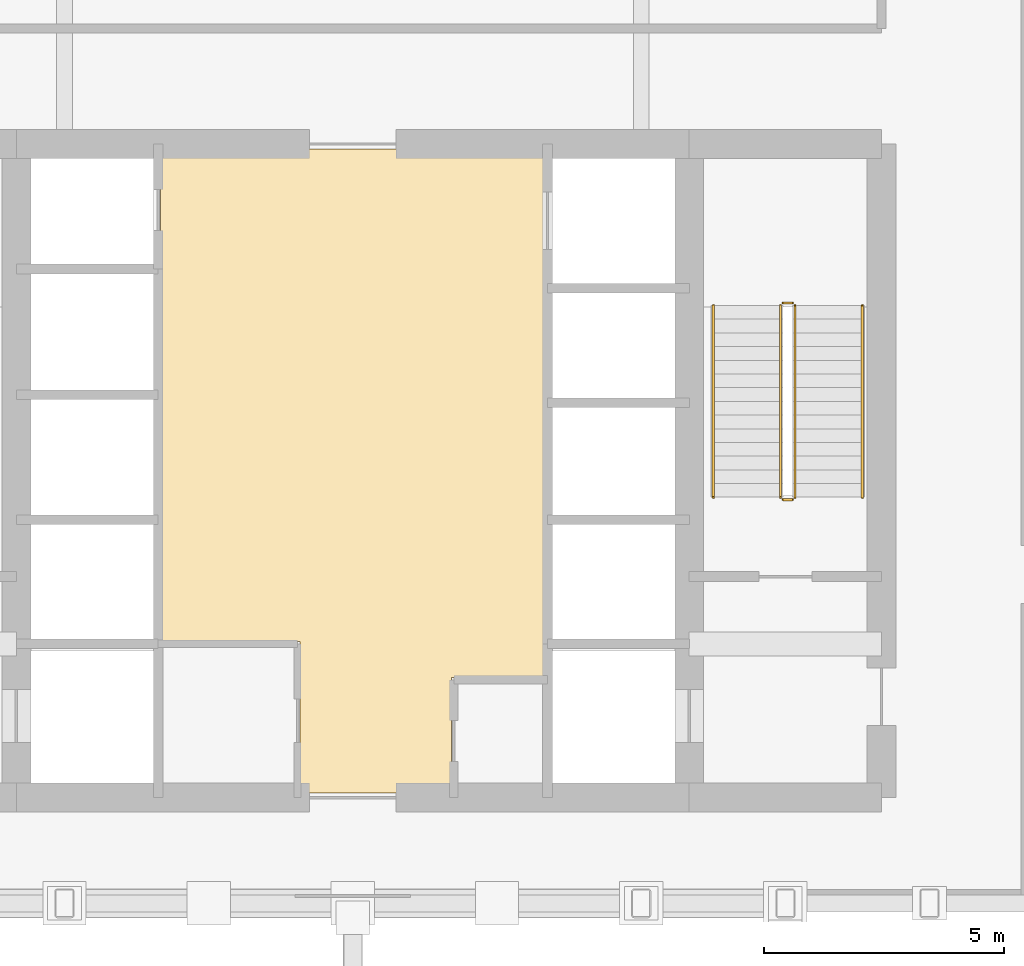
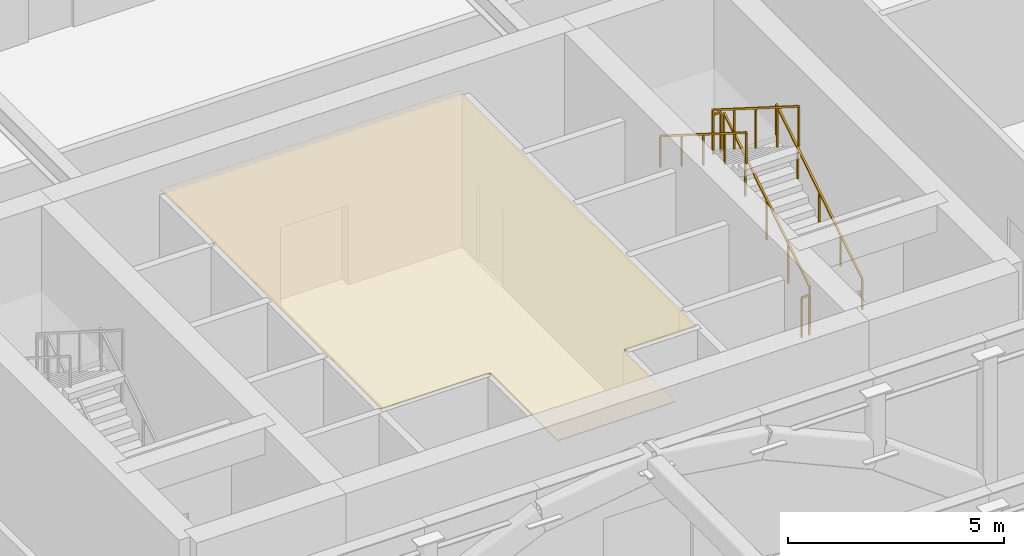
# One storey, part 31 of 32: 6 railings, 1 covering.
"""IFC4 building model written with IfcOpenShell, lengths in metres."""

from ifc_helpers import new_model, si_unit, direction, frame, origin, origin_2d, place, context, subcontext, project, spatial, polyline, rectangle, outline, extrude, material, layer, layer_set, type_object, element, save


model = new_model("IFC4")

# Units and contexts
model_context = context("Model", 3, precision=1e-05, world=origin(), true_north=direction((0.0, 1.0)))
body_context = subcontext(model_context, "Body", "Model", "MODEL_VIEW")
ifc_project = project(units=[si_unit("LENGTHUNIT", "METRE"), si_unit("AREAUNIT", "SQUARE_METRE"), si_unit("VOLUMEUNIT", "CUBIC_METRE"), si_unit("PLANEANGLEUNIT", "RADIAN"), si_unit("MASSUNIT", "GRAM", prefix="KILO")], contexts=[model_context])

# Site, building, storey
site_placement = place(None, origin())
site = spatial("IfcSite", under=ifc_project, at=site_placement, CompositionType="ELEMENT")
building_placement = place(site_placement, origin())
building = spatial("IfcBuilding", under=site, at=building_placement, Name="Sarneth Arch Tower", CompositionType="ELEMENT")
storey_placement = place(building_placement, frame((0.0, 0.0, 11.39990234375)))
storey = spatial("IfcBuildingStorey", under=building, at=storey_placement, Name="L02", CompositionType="ELEMENT", Elevation=11.39990234375)

# Covering
ifc_material_1 = material(Name="Perforated acoustic gypsum ceiling board")
ifc_layer = layer(ifc_material_1, 0.02490234375)
ifc_layer_set = layer_set([ifc_layer], Name="Perforated acoustic gypsum ceiling board")
covering_type = type_object("IfcCoveringType", Name="COV-CEIL-GYP", PredefinedType="CEILING", material=ifc_layer_set)
covering_placement = place(storey_placement, frame((0.0, 0.0, 4.27001953125)))
element("IfcCovering", 1, at=covering_placement, inside=storey, type_object=covering_type, Name="L02 Lift lobby acoustic ceiling", PredefinedType="CEILING", context=body_context, shape_type="SweptSolid", body=[
    extrude(outline(polyline([(52.0, 37.699951171875), (50.050048828125, 37.699951171875), (50.050048828125, 35.300048828125), (46.89990234375, 35.300048828125), (46.89990234375, 38.449951171875), (44.0, 38.449951171875), (44.0, 48.699951171875), (52.0, 48.699951171875), (52.0, 37.699951171875)])), origin(), (0.0, 0.0, 1.0), 0.030029296875),
])

# Railings
ifc_material_2 = material(Name="Brushed Stainless Steel 304 tubular handrail", Category="steel")
railing_type_1 = type_object("IfcRailingType", Name="RAIL-HANDRAIL-900", PredefinedType="HANDRAIL", material=ifc_material_2)
railing_1_placement = place(storey_placement, frame((58.60009765625, 41.449951171875, 0.18017578125)))
element("IfcRailing", 2, at=railing_1_placement, inside=storey, type_object=railing_type_1, Name="L02 ST-2 stair handrail 1", PredefinedType="HANDRAIL", context=body_context, shape_type="SweptSolid", body=[
    extrude(rectangle(XDim=0.048095703125, YDim=0.048095703125, at=origin_2d()), frame((0.0, 0.0, 0.8759765625), z_axis=(0.0, 0.845486444383, 0.533996884227), x_axis=(-1.0, 0.0, 0.0)), (0.0, 0.0, 1.0), 4.71923828125),
    extrude(rectangle(XDim=0.0419921875, YDim=0.0419921875, at=origin_2d()), origin(), (0.0, 0.0, 1.0), 0.851806640625),
    extrude(rectangle(XDim=0.0419921875, YDim=0.0419921875, at=origin_2d()), frame((0.0, 0.99755859375, 0.6298828125)), (0.0, 0.0, 1.0), 0.851806640625),
    extrude(rectangle(XDim=0.0419921875, YDim=0.0419921875, at=origin_2d()), frame((0.0, 1.9951171875, 1.260009765625)), (0.0, 0.0, 1.0), 0.851806640625),
    extrude(rectangle(XDim=0.0419921875, YDim=0.0419921875, at=origin_2d()), frame((0.0, 2.992431640625, 1.89013671875)), (0.0, 0.0, 1.0), 0.851806640625),
    extrude(rectangle(XDim=0.0419921875, YDim=0.0419921875, at=origin_2d()), frame((0.0, 3.989990234375, 2.52001953125)), (0.0, 0.0, 1.0), 0.851806640625),
])
railing_2_placement = place(storey_placement, frame((55.5, 45.43994140625, 2.880126953125)))
element("IfcRailing", 3, at=railing_2_placement, inside=storey, type_object=railing_type_1, Name="L02 ST-2 stair handrail 2", PredefinedType="HANDRAIL", context=body_context, shape_type="SweptSolid", body=[
    extrude(rectangle(XDim=0.048095703125, YDim=0.048095703125, at=origin_2d()), frame((0.0, 0.0, 0.8759765625), z_axis=(0.0, -0.845486444383, 0.533996884227), x_axis=(1.0, 0.0, 0.0)), (0.0, 0.0, 1.0), 4.71923828125),
    extrude(rectangle(XDim=0.0419921875, YDim=0.0419921875, at=origin_2d()), origin(), (0.0, 0.0, 1.0), 0.851806640625),
    extrude(rectangle(XDim=0.0419921875, YDim=0.0419921875, at=origin_2d()), frame((0.0, -0.99755859375, 0.6298828125)), (0.0, 0.0, 1.0), 0.851806640625),
    extrude(rectangle(XDim=0.0419921875, YDim=0.0419921875, at=origin_2d()), frame((0.0, -1.9951171875, 1.260009765625)), (0.0, 0.0, 1.0), 0.851806640625),
    extrude(rectangle(XDim=0.0419921875, YDim=0.0419921875, at=origin_2d()), frame((0.0, -2.992431640625, 1.89013671875)), (0.0, 0.0, 1.0), 0.851806640625),
    extrude(rectangle(XDim=0.0419921875, YDim=0.0419921875, at=origin_2d()), frame((0.0, -3.989990234375, 2.52001953125)), (0.0, 0.0, 1.0), 0.851806640625),
])
ifc_material_3 = material(Name="Painted Steel S275 stair well guard", Category="steel")
railing_type_2 = type_object("IfcRailingType", Name="RAIL-STAIR-GUARD", PredefinedType="GUARDRAIL", material=ifc_material_3)
railing_3_placement = place(storey_placement, frame((57.199951171875, 41.449951171875, 0.18017578125)))
element("IfcRailing", 4, at=railing_3_placement, inside=storey, type_object=railing_type_2, Name="L02 ST-2 stair guard 1", PredefinedType="GUARDRAIL", context=body_context, shape_type="SweptSolid", body=[
    extrude(rectangle(XDim=0.048095703125, YDim=0.048095703125, at=origin_2d()), frame((0.0, 0.0, 1.1259765625), z_axis=(0.0, 0.845486444383, 0.533996884227), x_axis=(-1.0, 0.0, 0.0)), (0.0, 0.0, 1.0), 4.71923828125),
    extrude(rectangle(XDim=0.0419921875, YDim=0.0419921875, at=origin_2d()), origin(), (0.0, 0.0, 1.0), 1.101806640625),
    extrude(rectangle(XDim=0.0419921875, YDim=0.0419921875, at=origin_2d()), frame((0.0, 0.99755859375, 0.6298828125)), (0.0, 0.0, 1.0), 1.101806640625),
    extrude(rectangle(XDim=0.0419921875, YDim=0.0419921875, at=origin_2d()), frame((0.0, 1.9951171875, 1.260009765625)), (0.0, 0.0, 1.0), 1.101806640625),
    extrude(rectangle(XDim=0.0419921875, YDim=0.0419921875, at=origin_2d()), frame((0.0, 2.992431640625, 1.89013671875)), (0.0, 0.0, 1.0), 1.101806640625),
    extrude(rectangle(XDim=0.0419921875, YDim=0.0419921875, at=origin_2d()), frame((0.0, 3.989990234375, 2.52001953125)), (0.0, 0.0, 1.0), 1.101806640625),
])
railing_4_placement = place(storey_placement, frame((57.14990234375, 45.489990234375, 2.7001953125)))
element("IfcRailing", 5, at=railing_4_placement, inside=storey, type_object=railing_type_2, Name="L02 ST-2 stair guard 2", PredefinedType="GUARDRAIL", context=body_context, shape_type="SweptSolid", body=[
    extrude(rectangle(XDim=0.048095703125, YDim=0.048095703125, at=origin_2d()), frame((0.0, 0.0, 1.1259765625), z_axis=(-1.0, 0.0, 0.0), x_axis=(0.0, -1.0, 0.0)), (0.0, 0.0, 1.0), 0.199951171875),
    extrude(rectangle(XDim=0.0419921875, YDim=0.0419921875, at=origin_2d()), origin(), (0.0, 0.0, 1.0), 1.101806640625),
    extrude(rectangle(XDim=0.0419921875, YDim=0.0419921875, at=origin_2d()), frame((-0.199951171875, 0.0, 0.0)), (0.0, 0.0, 1.0), 1.101806640625),
])
railing_5_placement = place(storey_placement, frame((56.89990234375, 45.43994140625, 2.880126953125)))
element("IfcRailing", 6, at=railing_5_placement, inside=storey, type_object=railing_type_2, Name="L02 ST-2 stair guard 3", PredefinedType="GUARDRAIL", context=body_context, shape_type="SweptSolid", body=[
    extrude(rectangle(XDim=0.048095703125, YDim=0.048095703125, at=origin_2d()), frame((0.0, 0.0, 1.1259765625), z_axis=(0.0, -0.845486444383, 0.533996884227), x_axis=(1.0, 0.0, 0.0)), (0.0, 0.0, 1.0), 4.71923828125),
    extrude(rectangle(XDim=0.0419921875, YDim=0.0419921875, at=origin_2d()), origin(), (0.0, 0.0, 1.0), 1.101806640625),
    extrude(rectangle(XDim=0.0419921875, YDim=0.0419921875, at=origin_2d()), frame((0.0, -0.99755859375, 0.6298828125)), (0.0, 0.0, 1.0), 1.101806640625),
    extrude(rectangle(XDim=0.0419921875, YDim=0.0419921875, at=origin_2d()), frame((0.0, -1.9951171875, 1.260009765625)), (0.0, 0.0, 1.0), 1.101806640625),
    extrude(rectangle(XDim=0.0419921875, YDim=0.0419921875, at=origin_2d()), frame((0.0, -2.992431640625, 1.89013671875)), (0.0, 0.0, 1.0), 1.101806640625),
    extrude(rectangle(XDim=0.0419921875, YDim=0.0419921875, at=origin_2d()), frame((0.0, -3.989990234375, 2.52001953125)), (0.0, 0.0, 1.0), 1.101806640625),
])
railing_6_placement = place(storey_placement, frame((57.14990234375, 41.39990234375, 0.0)))
element("IfcRailing", 7, at=railing_6_placement, inside=storey, type_object=railing_type_2, Name="L02 ST-2 stair guard 4", PredefinedType="GUARDRAIL", context=body_context, shape_type="SweptSolid", body=[
    extrude(rectangle(XDim=0.048095703125, YDim=0.048095703125, at=origin_2d()), frame((0.0, 0.0, 1.1259765625), z_axis=(-1.0, 0.0, 0.0), x_axis=(0.0, -1.0, 0.0)), (0.0, 0.0, 1.0), 0.199951171875),
    extrude(rectangle(XDim=0.0419921875, YDim=0.0419921875, at=origin_2d()), origin(), (0.0, 0.0, 1.0), 1.101806640625),
    extrude(rectangle(XDim=0.0419921875, YDim=0.0419921875, at=origin_2d()), frame((-0.199951171875, 0.0, 0.0)), (0.0, 0.0, 1.0), 1.101806640625),
])

save(model, "model.ifc")
